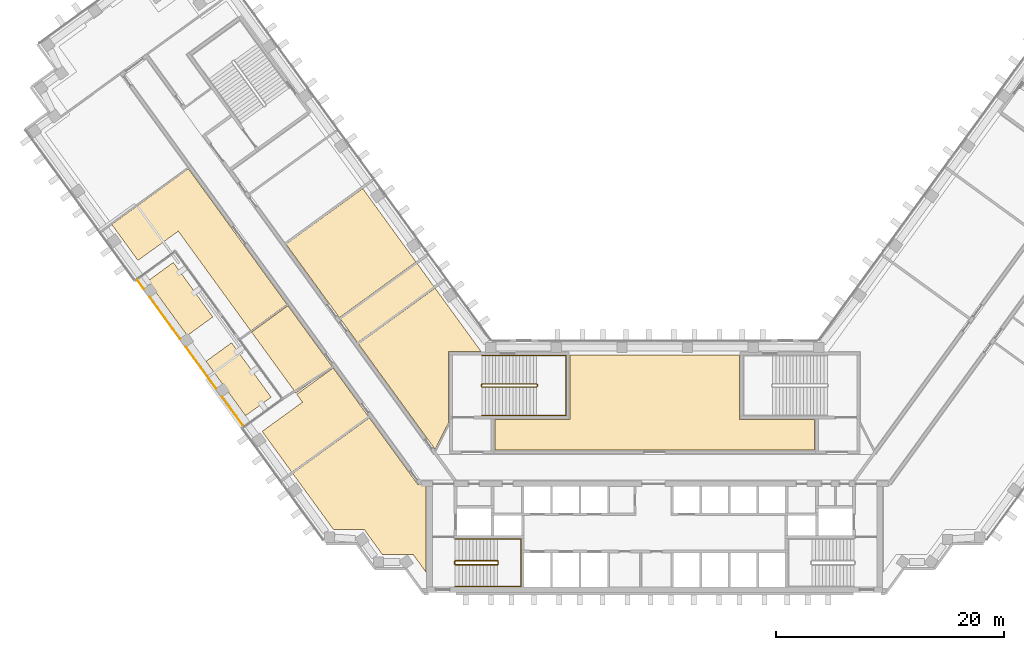
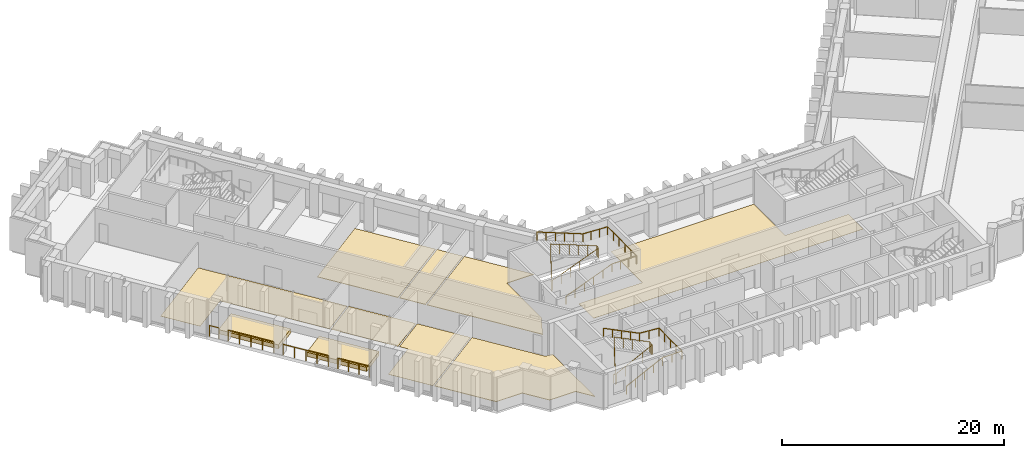
# One storey, part 14 of 16: 10 coverings, 8 railings.
"""IFC4 building model written with IfcOpenShell, lengths in metres."""

from ifc_helpers import new_model, si_unit, direction, frame, origin, origin_2d, place, context, subcontext, project, spatial, polyline, circle, outline, extrude, material, layer, layer_set, type_object, element, save


model = new_model("IFC4")

# Units and contexts
model_context = context("Model", 3, precision=1e-05, world=origin(), true_north=direction((0.0, 1.0)))
body_context = subcontext(model_context, "Body", "Model", "MODEL_VIEW")
ifc_project = project(units=[si_unit("LENGTHUNIT", "METRE"), si_unit("AREAUNIT", "SQUARE_METRE"), si_unit("VOLUMEUNIT", "CUBIC_METRE"), si_unit("PLANEANGLEUNIT", "RADIAN"), si_unit("MASSUNIT", "GRAM", prefix="KILO")], contexts=[model_context])

# Site, building, storey
site_placement = place(None, origin())
site = spatial("IfcSite", under=ifc_project, at=site_placement, CompositionType="ELEMENT")
building_placement = place(site_placement, origin())
building = spatial("IfcBuilding", under=site, at=building_placement, Name="Quipu Civic Tower", CompositionType="ELEMENT")
storey_placement = place(building_placement, frame((0.0, 0.0, 51.0)))
storey = spatial("IfcBuildingStorey", under=building, at=storey_placement, Name="L11", CompositionType="ELEMENT", Elevation=51.0)

# Coverings
ifc_material_1 = material(Name="Carpet tile on raised access floor")
ifc_layer_1 = layer(ifc_material_1, 0.02001953125)
ifc_layer_set_1 = layer_set([ifc_layer_1], Name="Carpet tile on raised access floor")
covering_type_1 = type_object("IfcCoveringType", Name="Carpet tile floor finish 20", PredefinedType="FLOORING", material=ifc_layer_set_1)
covering_1_placement = place(storey_placement, origin())
element("IfcCovering", 1, at=covering_1_placement, inside=storey, type_object=covering_type_1, Name="Carpet tile floor finish 20", PredefinedType="FLOORING", context=body_context, shape_type="SweptSolid", body=[
    extrude(outline(polyline([(-47.62890625, 21.304931640625), (-40.905029296875, 26.18798828125), (-32.260009765625, 14.287109375), (-35.446044921875, 11.972900390625), (-41.797119140625, 20.712890625), (-45.333984375, 18.14501953125), (-47.62890625, 21.304931640625)])), origin(), (0.0, 0.0, 1.0), 0.02001953125),
])
covering_2_placement = place(storey_placement, origin())
element("IfcCovering", 2, at=covering_2_placement, inside=storey, type_object=covering_type_1, Name="Carpet tile floor finish 20", PredefinedType="FLOORING", context=body_context, shape_type="SweptSolid", body=[
    extrude(outline(polyline([(-35.363037109375, 11.860107421875), (-32.177001953125, 14.174072265625), (-28.2919921875, 8.826904296875), (-31.47900390625, 6.511962890625), (-35.363037109375, 11.860107421875)])), origin(), (0.0, 0.0, 1.0), 0.02001953125),
])
covering_3_placement = place(storey_placement, origin())
element("IfcCovering", 3, at=covering_3_placement, inside=storey, type_object=covering_type_1, Name="Carpet tile floor finish 20", PredefinedType="FLOORING", context=body_context, shape_type="SweptSolid", body=[
    extrude(outline(polyline([(-34.43603515625, 3.14599609375), (-30.90087890625, 5.712890625), (-31.39599609375, 6.39794921875), (-28.208984375, 8.714111328125), (-25.117919921875, 4.4580078125), (-31.841064453125, -0.426025390625), (-34.43603515625, 3.14599609375)])), origin(), (0.0, 0.0, 1.0), 0.02001953125),
])
covering_4_placement = place(storey_placement, origin())
element("IfcCovering", 4, at=covering_4_placement, inside=storey, type_object=covering_type_1, Name="Carpet tile floor finish 20", PredefinedType="FLOORING", context=body_context, shape_type="SweptSolid", body=[
    extrude(outline(polyline([(-14.030029296875, 1.52001953125), (-14.030029296875, 4.179931640625), (-7.429931640625, 4.180908203125), (-7.429931640625, 9.830078125), (7.429931640625, 9.830078125), (7.430908203125, 4.179931640625), (14.030029296875, 4.179931640625), (14.030029296875, 1.52001953125), (-14.030029296875, 1.52001953125)])), origin(), (0.0, 0.0, 1.0), 0.02001953125),
])
ifc_material_2 = material(Name="Planting soil on drainage board")
ifc_layer_2 = layer(ifc_material_2, 0.449951171875)
ifc_layer_set_2 = layer_set([ifc_layer_2], Name="Planting soil on drainage board")
covering_type_2 = type_object("IfcCoveringType", Name="Planted terrace build-up", PredefinedType="FLOORING", material=ifc_layer_set_2)
covering_5_placement = place(storey_placement, origin())
element("IfcCovering", 5, at=covering_5_placement, inside=storey, type_object=covering_type_2, Name="Planted terrace L11 bed 1", PredefinedType="FLOORING", context=body_context, shape_type="SweptSolid", body=[
    extrude(outline(polyline([(-44.474853515625, 16.33349609375), (-42.232666015625, 17.96240234375), (-38.764892578125, 13.189453125), (-41.007080078125, 11.560302734375), (-44.474853515625, 16.33349609375)])), origin(), (0.0, 0.0, 1.0), 0.449951171875),
])
covering_6_placement = place(storey_placement, origin())
element("IfcCovering", 6, at=covering_6_placement, inside=storey, type_object=covering_type_2, Name="Planted terrace L11 bed 2", PredefinedType="FLOORING", context=body_context, shape_type="SweptSolid", body=[
    extrude(outline(polyline([(-39.361083984375, 9.295166015625), (-37.119140625, 10.92431640625), (-33.65087890625, 6.15087890625), (-35.893310546875, 4.521728515625), (-39.361083984375, 9.295166015625)])), origin(), (0.0, 0.0, 1.0), 0.449951171875),
])
ifc_material_3 = material(Name="Sealed cement screed")
ifc_layer_3 = layer(ifc_material_3, 0.050048828125)
ifc_layer_set_3 = layer_set([ifc_layer_3], Name="Sealed cement screed")
covering_type_3 = type_object("IfcCoveringType", Name="Sealed screed floor finish 50", PredefinedType="FLOORING", material=ifc_layer_set_3)
covering_7_placement = place(storey_placement, origin())
element("IfcCovering", 7, at=covering_7_placement, inside=storey, type_object=covering_type_3, Name="Sealed screed floor finish 50", PredefinedType="FLOORING", context=body_context, shape_type="SweptSolid", body=[
    extrude(outline(polyline([(-27.577880859375, 13.01708984375), (-20.85498046875, 17.90087890625), (-19.35107421875, 15.8291015625), (-26.073974609375, 10.946044921875), (-27.577880859375, 13.01708984375)])), origin(), (0.0, 0.0, 1.0), 0.050048828125),
])
covering_8_placement = place(storey_placement, origin())
element("IfcCovering", 8, at=covering_8_placement, inside=storey, type_object=covering_type_3, Name="Sealed screed floor finish 50", PredefinedType="FLOORING", context=body_context, shape_type="SweptSolid", body=[
    extrude(outline(polyline([(-25.990966796875, 10.8330078125), (-19.26806640625, 15.716064453125), (-15.238037109375, 10.169921875), (-18.070068359375, 10.1689453125), (-18.070068359375, 3.94189453125), (-19.27197265625, 1.583984375), (-25.990966796875, 10.8330078125)])), origin(), (0.0, 0.0, 1.0), 0.050048828125),
])
covering_9_placement = place(storey_placement, origin())
element("IfcCovering", 9, at=covering_9_placement, inside=storey, type_object=covering_type_3, Name="Sealed screed floor finish 50", PredefinedType="FLOORING", context=body_context, shape_type="SweptSolid", body=[
    extrude(outline(polyline([(-31.758056640625, -0.5390625), (-25.034912109375, 4.344970703125), (-20.77490234375, -1.51904296875), (-20.070068359375, -1.52001953125), (-20.070068359375, -9.195068359375), (-21.196044921875, -7.64599609375), (-21.6630859375, -7.64599609375), (-21.666015625, -7.64404296875), (-21.669921875, -7.64111328125), (-21.675048828125, -7.639892578125), (-21.679931640625, -7.637939453125), (-21.68408203125, -7.636962890625), (-21.68896484375, -7.636962890625), (-21.694091796875, -7.635986328125), (-21.698974609375, -7.636962890625), (-21.7041015625, -7.637939453125), (-21.708984375, -7.638916015625), (-21.712890625, -7.64111328125), (-21.718017578125, -7.64306640625), (-21.721923828125, -7.64599609375), (-21.721923828125, -7.64599609375), (-23.89501953125, -7.64599609375), (-25.48193359375, -5.4619140625), (-28.181884765625, -5.4609375), (-31.758056640625, -0.5390625)])), origin(), (0.0, 0.0, 1.0), 0.050048828125),
])
covering_10_placement = place(storey_placement, origin())
element("IfcCovering", 10, at=covering_10_placement, inside=storey, type_object=covering_type_3, Name="Sealed screed floor finish 50", PredefinedType="FLOORING", context=body_context, shape_type="SweptSolid", body=[
    extrude(outline(polyline([(-32.339111328125, 19.570068359375), (-25.615966796875, 24.4541015625), (-20.93798828125, 18.013916015625), (-27.660888671875, 13.1298828125), (-32.339111328125, 19.570068359375)])), origin(), (0.0, 0.0, 1.0), 0.050048828125),
])

# Railings
ifc_material_4 = material(Name="Stainless steel", Category="steel")
railing_type_1 = type_object("IfcRailingType", Name="Stair guard 1100", PredefinedType="GUARDRAIL", material=ifc_material_4)
railing_1_placement = place(storey_placement, frame((-17.5, -8.550048828125, 0.15380859375)))
element("IfcRailing", 11, at=railing_1_placement, inside=storey, type_object=railing_type_1, Name="Stair 1 guard", PredefinedType="GUARDRAIL", context=body_context, shape_type="SweptSolid", body=[
    extrude(circle(Radius=0.02392578125, at=origin_2d()), frame((0.0, 0.0, 1.076171875), z_axis=(0.895751851347, 0.0, 0.444554407028), x_axis=(0.0, 1.0, 0.0)), (0.0, 0.0, 1.0), 4.15283203125),
    extrude(circle(Radius=0.02392578125, at=origin_2d()), frame((3.719970703125, 0.0, 2.92236328125), z_axis=(0.707106781187, 0.707106781187, 0.0), x_axis=(-0.707106781187, 0.707106781187, 0.0)), (0.0, 0.0, 1.0), 0.07080078125),
    extrude(circle(Radius=0.02392578125, at=origin_2d()), frame((3.77001953125, 0.050048828125, 2.92236328125), z_axis=(0.0, 1.0, 0.0), x_axis=(-1.0, 0.0, 0.0)), (0.0, 0.0, 1.0), 0.25),
    extrude(circle(Radius=0.02392578125, at=origin_2d()), frame((3.77001953125, 0.300048828125, 2.92236328125), z_axis=(-0.295599637079, 0.295599637079, 0.908428152975), x_axis=(-0.707106781187, -0.707106781187, 0.0)), (0.0, 0.0, 1.0), 0.16943359375),
    extrude(circle(Radius=0.02392578125, at=origin_2d()), frame((3.719970703125, 0.35009765625, 3.076171875), z_axis=(-0.895751851347, 0.0, 0.444554407028), x_axis=(0.0, -1.0, 0.0)), (0.0, 0.0, 1.0), 4.15283203125),
    extrude(circle(Radius=0.02392578125, at=origin_2d()), frame((0.0, 0.35009765625, 4.92236328125), z_axis=(-0.012476181752, -0.074796231092, -0.997120789425), x_axis=(0.986372223864, -0.164529134168, 0.0)), (0.0, 0.0, 1.0), 4.011474609375),
    extrude(circle(Radius=0.02392578125, at=origin_2d()), frame((-0.050048828125, 0.050048828125, 0.92236328125), z_axis=(0.0, 1.0, 0.0), x_axis=(-1.0, 0.0, 0.0)), (0.0, 0.0, 1.0), 0.25),
    extrude(circle(Radius=0.02099609375, at=origin_2d()), origin(), (0.0, 0.0, 1.0), 1.052001953125),
    extrude(circle(Radius=0.02099609375, at=origin_2d()), frame((0.929931640625, 0.0, 0.46142578125)), (0.0, 0.0, 1.0), 1.052001953125),
    extrude(circle(Radius=0.02099609375, at=origin_2d()), frame((1.85986328125, 0.0, 0.923095703125)), (0.0, 0.0, 1.0), 1.052001953125),
    extrude(circle(Radius=0.02099609375, at=origin_2d()), frame((2.7900390625, 0.0, 1.384765625)), (0.0, 0.0, 1.0), 1.052001953125),
    extrude(circle(Radius=0.02099609375, at=origin_2d()), frame((3.719970703125, 0.0, 1.84619140625)), (0.0, 0.0, 1.0), 1.052001953125),
    extrude(circle(Radius=0.02099609375, at=origin_2d()), frame((3.77001953125, 0.050048828125, 1.84619140625)), (0.0, 0.0, 1.0), 1.052001953125),
    extrude(circle(Radius=0.02099609375, at=origin_2d()), frame((3.77001953125, 0.300048828125, 1.84619140625)), (0.0, 0.0, 1.0), 1.052001953125),
    extrude(circle(Radius=0.02099609375, at=origin_2d()), frame((3.719970703125, 0.35009765625, 2.0)), (0.0, 0.0, 1.0), 1.052001953125),
    extrude(circle(Radius=0.02099609375, at=origin_2d()), frame((2.7900390625, 0.35009765625, 2.46142578125)), (0.0, 0.0, 1.0), 1.052001953125),
    extrude(circle(Radius=0.02099609375, at=origin_2d()), frame((1.85986328125, 0.35009765625, 2.923095703125)), (0.0, 0.0, 1.0), 1.052001953125),
    extrude(circle(Radius=0.02099609375, at=origin_2d()), frame((0.929931640625, 0.35009765625, 3.384765625)), (0.0, 0.0, 1.0), 1.052001953125),
    extrude(circle(Radius=0.02099609375, at=origin_2d()), frame((0.0, 0.35009765625, 3.84619140625)), (0.0, 0.0, 1.0), 1.052001953125),
    extrude(circle(Radius=0.02099609375, at=origin_2d()), frame((-0.012451171875, 0.275146484375, 2.84619140625)), (0.0, 0.0, 1.0), 1.052001953125),
    extrude(circle(Radius=0.02099609375, at=origin_2d()), frame((-0.02490234375, 0.2001953125, 1.84619140625)), (0.0, 0.0, 1.0), 1.052001953125),
    extrude(circle(Radius=0.02099609375, at=origin_2d()), frame((-0.03759765625, 0.125, 0.84619140625)), (0.0, 0.0, 1.0), 1.052001953125),
    extrude(circle(Radius=0.02099609375, at=origin_2d()), frame((-0.050048828125, 0.050048828125, -0.15380859375)), (0.0, 0.0, 1.0), 1.052001953125),
    extrude(circle(Radius=0.02099609375, at=origin_2d()), frame((-0.050048828125, 0.300048828125, -0.15380859375)), (0.0, 0.0, 1.0), 1.052001953125),
])
railing_2_placement = place(storey_placement, frame((-15.14990234375, 7.050048828125, 0.11767578125)))
element("IfcRailing", 12, at=railing_2_placement, inside=storey, type_object=railing_type_1, Name="Stair 3 guard", PredefinedType="GUARDRAIL", context=body_context, shape_type="SweptSolid", body=[
    extrude(circle(Radius=0.02392578125, at=origin_2d()), frame((0.0, 0.0, 1.076171875), z_axis=(0.930970042603, 0.0, 0.365095576219), x_axis=(0.0, 1.0, 0.0)), (0.0, 0.0, 1.0), 5.15576171875),
    extrude(circle(Radius=0.02392578125, at=origin_2d()), frame((4.7998046875, 0.0, 2.95849609375), z_axis=(0.707106781187, 0.707106781187, 0.0), x_axis=(-0.707106781187, 0.707106781187, 0.0)), (0.0, 0.0, 1.0), 0.07080078125),
    extrude(circle(Radius=0.02392578125, at=origin_2d()), frame((4.849853515625, 0.050048828125, 2.95849609375), z_axis=(0.0, 1.0, 0.0), x_axis=(-1.0, 0.0, 0.0)), (0.0, 0.0, 1.0), 0.14990234375),
    extrude(circle(Radius=0.02392578125, at=origin_2d()), frame((4.849853515625, 0.199951171875, 2.95849609375), z_axis=(-0.364463019033, 0.364463019033, 0.856932561824), x_axis=(-0.707106781187, -0.707106781187, 0.0)), (0.0, 0.0, 1.0), 0.13720703125),
    extrude(circle(Radius=0.02392578125, at=origin_2d()), frame((4.7998046875, 0.25, 3.076171875), z_axis=(-0.930970042603, 0.0, 0.365095576219), x_axis=(0.0, -1.0, 0.0)), (0.0, 0.0, 1.0), 5.15576171875),
    extrude(circle(Radius=0.02392578125, at=origin_2d()), frame((0.0, 0.25, 4.95849609375), z_axis=(-0.012495627992, -0.049921557685, -0.998674970829), x_axis=(0.970072785993, -0.242814311512, 0.0)), (0.0, 0.0, 1.0), 4.00537109375),
    extrude(circle(Radius=0.02392578125, at=origin_2d()), frame((-0.050048828125, 0.050048828125, 0.95849609375), z_axis=(0.0, 1.0, 0.0), x_axis=(-1.0, 0.0, 0.0)), (0.0, 0.0, 1.0), 0.14990234375),
    extrude(circle(Radius=0.02099609375, at=origin_2d()), origin(), (0.0, 0.0, 1.0), 1.052001953125),
    extrude(circle(Radius=0.02099609375, at=origin_2d()), frame((0.9599609375, 0.0, 0.37646484375)), (0.0, 0.0, 1.0), 1.052001953125),
    extrude(circle(Radius=0.02099609375, at=origin_2d()), frame((1.919921875, 0.0, 0.7529296875)), (0.0, 0.0, 1.0), 1.052001953125),
    extrude(circle(Radius=0.02099609375, at=origin_2d()), frame((2.8798828125, 0.0, 1.12939453125)), (0.0, 0.0, 1.0), 1.052001953125),
    extrude(circle(Radius=0.02099609375, at=origin_2d()), frame((3.83984375, 0.0, 1.505859375)), (0.0, 0.0, 1.0), 1.052001953125),
    extrude(circle(Radius=0.02099609375, at=origin_2d()), frame((4.7998046875, 0.0, 1.88232421875)), (0.0, 0.0, 1.0), 1.052001953125),
    extrude(circle(Radius=0.02099609375, at=origin_2d()), frame((4.849853515625, 0.050048828125, 1.88232421875)), (0.0, 0.0, 1.0), 1.052001953125),
    extrude(circle(Radius=0.02099609375, at=origin_2d()), frame((4.849853515625, 0.199951171875, 1.88232421875)), (0.0, 0.0, 1.0), 1.052001953125),
    extrude(circle(Radius=0.02099609375, at=origin_2d()), frame((4.7998046875, 0.25, 2.0)), (0.0, 0.0, 1.0), 1.052001953125),
    extrude(circle(Radius=0.02099609375, at=origin_2d()), frame((3.83984375, 0.25, 2.37646484375)), (0.0, 0.0, 1.0), 1.052001953125),
    extrude(circle(Radius=0.02099609375, at=origin_2d()), frame((2.8798828125, 0.25, 2.7529296875)), (0.0, 0.0, 1.0), 1.052001953125),
    extrude(circle(Radius=0.02099609375, at=origin_2d()), frame((1.919921875, 0.25, 3.12939453125)), (0.0, 0.0, 1.0), 1.052001953125),
    extrude(circle(Radius=0.02099609375, at=origin_2d()), frame((0.9599609375, 0.25, 3.505859375)), (0.0, 0.0, 1.0), 1.052001953125),
    extrude(circle(Radius=0.02099609375, at=origin_2d()), frame((0.0, 0.25, 3.88232421875)), (0.0, 0.0, 1.0), 1.052001953125),
    extrude(circle(Radius=0.02099609375, at=origin_2d()), frame((-0.012451171875, 0.199951171875, 2.88232421875)), (0.0, 0.0, 1.0), 1.052001953125),
    extrude(circle(Radius=0.02099609375, at=origin_2d()), frame((-0.02490234375, 0.14990234375, 1.88232421875)), (0.0, 0.0, 1.0), 1.052001953125),
    extrude(circle(Radius=0.02099609375, at=origin_2d()), frame((-0.03759765625, 0.10009765625, 0.88232421875)), (0.0, 0.0, 1.0), 1.052001953125),
    extrude(circle(Radius=0.02099609375, at=origin_2d()), frame((-0.050048828125, 0.050048828125, -0.11767578125)), (0.0, 0.0, 1.0), 1.052001953125),
    extrude(circle(Radius=0.02099609375, at=origin_2d()), frame((-0.050048828125, 0.199951171875, -0.11767578125)), (0.0, 0.0, 1.0), 1.052001953125),
])
ifc_material_5 = material(Name="Stainless steel", Category="steel")
railing_type_2 = type_object("IfcRailingType", Name="Stair handrail", PredefinedType="HANDRAIL", material=ifc_material_5)
railing_3_placement = place(storey_placement, frame((-17.5, -10.449951171875, 0.15380859375)))
element("IfcRailing", 13, at=railing_3_placement, inside=storey, type_object=railing_type_2, Name="Stair 1 handrail", PredefinedType="HANDRAIL", context=body_context, shape_type="SweptSolid", body=[
    extrude(circle(Radius=0.02392578125, at=origin_2d()), frame((0.0, 0.0, 0.8759765625), z_axis=(0.895751851347, 0.0, 0.444554407028), x_axis=(0.0, 1.0, 0.0)), (0.0, 0.0, 1.0), 4.15283203125),
    extrude(circle(Radius=0.02392578125, at=origin_2d()), frame((3.719970703125, 0.0, 2.72216796875), z_axis=(1.0, 0.0, 0.0), x_axis=(0.0, 1.0, 0.0)), (0.0, 0.0, 1.0), 2.030029296875),
    extrude(circle(Radius=0.02392578125, at=origin_2d()), frame((5.75, 0.0, 2.72216796875), z_axis=(0.0, 1.0, 0.0), x_axis=(-1.0, 0.0, 0.0)), (0.0, 0.0, 1.0), 4.14990234375),
    extrude(circle(Radius=0.02392578125, at=origin_2d()), frame((5.75, 4.14990234375, 2.72216796875), z_axis=(-0.997142003663, 0.0, 0.075550145798), x_axis=(0.0, -1.0, 0.0)), (0.0, 0.0, 1.0), 2.035888671875),
    extrude(circle(Radius=0.02392578125, at=origin_2d()), frame((3.719970703125, 4.14990234375, 2.8759765625), z_axis=(-0.895751851347, 0.0, 0.444554407028), x_axis=(0.0, -1.0, 0.0)), (0.0, 0.0, 1.0), 4.15283203125),
    extrude(circle(Radius=0.02099609375, at=origin_2d()), origin(), (0.0, 0.0, 1.0), 0.851806640625),
    extrude(circle(Radius=0.02099609375, at=origin_2d()), frame((0.929931640625, 0.0, 0.46142578125)), (0.0, 0.0, 1.0), 0.851806640625),
    extrude(circle(Radius=0.02099609375, at=origin_2d()), frame((1.85986328125, 0.0, 0.923095703125)), (0.0, 0.0, 1.0), 0.851806640625),
    extrude(circle(Radius=0.02099609375, at=origin_2d()), frame((2.7900390625, 0.0, 1.384765625)), (0.0, 0.0, 1.0), 0.851806640625),
    extrude(circle(Radius=0.02099609375, at=origin_2d()), frame((3.719970703125, 0.0, 1.84619140625)), (0.0, 0.0, 1.0), 0.851806640625),
    extrude(circle(Radius=0.02099609375, at=origin_2d()), frame((4.73486328125, 0.0, 1.84619140625)), (0.0, 0.0, 1.0), 0.851806640625),
    extrude(circle(Radius=0.02099609375, at=origin_2d()), frame((5.75, 0.0, 1.84619140625)), (0.0, 0.0, 1.0), 0.851806640625),
    extrude(circle(Radius=0.02099609375, at=origin_2d()), frame((5.75, 1.03759765625, 1.84619140625)), (0.0, 0.0, 1.0), 0.851806640625),
    extrude(circle(Radius=0.02099609375, at=origin_2d()), frame((5.75, 2.074951171875, 1.84619140625)), (0.0, 0.0, 1.0), 0.851806640625),
    extrude(circle(Radius=0.02099609375, at=origin_2d()), frame((5.75, 3.1123046875, 1.84619140625)), (0.0, 0.0, 1.0), 0.851806640625),
    extrude(circle(Radius=0.02099609375, at=origin_2d()), frame((5.75, 4.14990234375, 1.84619140625)), (0.0, 0.0, 1.0), 0.851806640625),
    extrude(circle(Radius=0.02099609375, at=origin_2d()), frame((4.73486328125, 4.14990234375, 1.923095703125)), (0.0, 0.0, 1.0), 0.851806640625),
    extrude(circle(Radius=0.02099609375, at=origin_2d()), frame((3.719970703125, 4.14990234375, 2.0)), (0.0, 0.0, 1.0), 0.851806640625),
    extrude(circle(Radius=0.02099609375, at=origin_2d()), frame((2.7900390625, 4.14990234375, 2.46142578125)), (0.0, 0.0, 1.0), 0.851806640625),
    extrude(circle(Radius=0.02099609375, at=origin_2d()), frame((1.85986328125, 4.14990234375, 2.923095703125)), (0.0, 0.0, 1.0), 0.851806640625),
    extrude(circle(Radius=0.02099609375, at=origin_2d()), frame((0.929931640625, 4.14990234375, 3.384765625)), (0.0, 0.0, 1.0), 0.851806640625),
    extrude(circle(Radius=0.02099609375, at=origin_2d()), frame((0.0, 4.14990234375, 3.84619140625)), (0.0, 0.0, 1.0), 0.851806640625),
])
railing_4_placement = place(storey_placement, frame((-15.14990234375, 4.550048828125, 0.11767578125)))
element("IfcRailing", 14, at=railing_4_placement, inside=storey, type_object=railing_type_2, Name="Stair 3 handrail", PredefinedType="HANDRAIL", context=body_context, shape_type="SweptSolid", body=[
    extrude(circle(Radius=0.02392578125, at=origin_2d()), frame((0.0, 0.0, 0.8759765625), z_axis=(0.930970042603, 0.0, 0.365095576219), x_axis=(0.0, 1.0, 0.0)), (0.0, 0.0, 1.0), 5.15576171875),
    extrude(circle(Radius=0.02392578125, at=origin_2d()), frame((4.7998046875, 0.0, 2.75830078125), z_axis=(1.0, 0.0, 0.0), x_axis=(0.0, 1.0, 0.0)), (0.0, 0.0, 1.0), 2.550048828125),
    extrude(circle(Radius=0.02392578125, at=origin_2d()), frame((7.349853515625, 0.0, 2.75830078125), z_axis=(0.0, 1.0, 0.0), x_axis=(-1.0, 0.0, 0.0)), (0.0, 0.0, 1.0), 5.25),
    extrude(circle(Radius=0.02392578125, at=origin_2d()), frame((7.349853515625, 5.25, 2.75830078125), z_axis=(-0.998936948642, 0.0, 0.04609742549), x_axis=(0.0, -1.0, 0.0)), (0.0, 0.0, 1.0), 2.552734375),
    extrude(circle(Radius=0.02392578125, at=origin_2d()), frame((4.7998046875, 5.25, 2.8759765625), z_axis=(-0.930970042603, 0.0, 0.365095576219), x_axis=(0.0, -1.0, 0.0)), (0.0, 0.0, 1.0), 5.15576171875),
    extrude(circle(Radius=0.02099609375, at=origin_2d()), origin(), (0.0, 0.0, 1.0), 0.851806640625),
    extrude(circle(Radius=0.02099609375, at=origin_2d()), frame((0.9599609375, 0.0, 0.37646484375)), (0.0, 0.0, 1.0), 0.851806640625),
    extrude(circle(Radius=0.02099609375, at=origin_2d()), frame((1.919921875, 0.0, 0.7529296875)), (0.0, 0.0, 1.0), 0.851806640625),
    extrude(circle(Radius=0.02099609375, at=origin_2d()), frame((2.8798828125, 0.0, 1.12939453125)), (0.0, 0.0, 1.0), 0.851806640625),
    extrude(circle(Radius=0.02099609375, at=origin_2d()), frame((3.83984375, 0.0, 1.505859375)), (0.0, 0.0, 1.0), 0.851806640625),
    extrude(circle(Radius=0.02099609375, at=origin_2d()), frame((4.7998046875, 0.0, 1.88232421875)), (0.0, 0.0, 1.0), 0.851806640625),
    extrude(circle(Radius=0.02099609375, at=origin_2d()), frame((5.64990234375, 0.0, 1.88232421875)), (0.0, 0.0, 1.0), 0.851806640625),
    extrude(circle(Radius=0.02099609375, at=origin_2d()), frame((6.499755859375, 0.0, 1.88232421875)), (0.0, 0.0, 1.0), 0.851806640625),
    extrude(circle(Radius=0.02099609375, at=origin_2d()), frame((7.349853515625, 0.0, 1.88232421875)), (0.0, 0.0, 1.0), 0.851806640625),
    extrude(circle(Radius=0.02099609375, at=origin_2d()), frame((7.349853515625, 1.050048828125, 1.88232421875)), (0.0, 0.0, 1.0), 0.851806640625),
    extrude(circle(Radius=0.02099609375, at=origin_2d()), frame((7.349853515625, 2.10009765625, 1.88232421875)), (0.0, 0.0, 1.0), 0.851806640625),
    extrude(circle(Radius=0.02099609375, at=origin_2d()), frame((7.349853515625, 3.14990234375, 1.88232421875)), (0.0, 0.0, 1.0), 0.851806640625),
    extrude(circle(Radius=0.02099609375, at=origin_2d()), frame((7.349853515625, 4.199951171875, 1.88232421875)), (0.0, 0.0, 1.0), 0.851806640625),
    extrude(circle(Radius=0.02099609375, at=origin_2d()), frame((7.349853515625, 5.25, 1.88232421875)), (0.0, 0.0, 1.0), 0.851806640625),
    extrude(circle(Radius=0.02099609375, at=origin_2d()), frame((6.499755859375, 5.25, 1.921630859375)), (0.0, 0.0, 1.0), 0.851806640625),
    extrude(circle(Radius=0.02099609375, at=origin_2d()), frame((5.64990234375, 5.25, 1.960693359375)), (0.0, 0.0, 1.0), 0.851806640625),
    extrude(circle(Radius=0.02099609375, at=origin_2d()), frame((4.7998046875, 5.25, 2.0)), (0.0, 0.0, 1.0), 0.851806640625),
    extrude(circle(Radius=0.02099609375, at=origin_2d()), frame((3.83984375, 5.25, 2.37646484375)), (0.0, 0.0, 1.0), 0.851806640625),
    extrude(circle(Radius=0.02099609375, at=origin_2d()), frame((2.8798828125, 5.25, 2.7529296875)), (0.0, 0.0, 1.0), 0.851806640625),
    extrude(circle(Radius=0.02099609375, at=origin_2d()), frame((1.919921875, 5.25, 3.12939453125)), (0.0, 0.0, 1.0), 0.851806640625),
    extrude(circle(Radius=0.02099609375, at=origin_2d()), frame((0.9599609375, 5.25, 3.505859375)), (0.0, 0.0, 1.0), 0.851806640625),
    extrude(circle(Radius=0.02099609375, at=origin_2d()), frame((0.0, 5.25, 3.88232421875)), (0.0, 0.0, 1.0), 0.851806640625),
])
ifc_material_6 = material(Name="Steel S275", Category="steel")
railing_type_3 = type_object("IfcRailingType", Name="Terrace guard G1", PredefinedType="GUARDRAIL", material=ifc_material_6)
railing_5_placement = place(storey_placement, frame((-45.377685546875, 16.419189453125, 0.0)))
element("IfcRailing", 15, at=railing_5_placement, inside=storey, type_object=railing_type_3, Name="Terrace guard L11.1", PredefinedType="GUARDRAIL", context=body_context, shape_type="SweptSolid", body=[
    extrude(circle(Radius=0.02490234375, at=origin_2d()), frame((0.0, 0.0, 1.1748046875), z_axis=(0.587821974901, -0.808990312565, 0.0), x_axis=(0.808990312565, 0.587821974901, 0.0)), (0.0, 0.0, 1.0), 0.954833984375),
    extrude(circle(Radius=0.02490234375, at=origin_2d()), origin(), (0.0, 0.0, 1.0), 1.14990234375),
    extrude(circle(Radius=0.02490234375, at=origin_2d()), frame((0.561279296875, -0.7724609375, 0.0)), (0.0, 0.0, 1.0), 1.14990234375),
])
for number, where, name in (
    (16, (-44.28759765625, 14.918701171875, 0.0), "Terrace guard L11.2"),
    (17, (-41.113525390625, 10.550048828125, 0.0), "Terrace guard L11.3"),
):
    element("IfcRailing", number, at=place(storey_placement, frame(where)), inside=storey, type_object=railing_type_3, Name=name, PredefinedType="GUARDRAIL", context=body_context, shape_type="SweptSolid", body=[
        extrude(circle(Radius=0.02490234375, at=origin_2d()), frame((0.0, 0.0, 1.1748046875), z_axis=(0.587813580995, -0.80899641161, 0.0), x_axis=(0.80899641161, 0.587813580995, 0.0)), (0.0, 0.0, 1.0), 4.500244140625),
        extrude(circle(Radius=0.02490234375, at=origin_2d()), origin(), (0.0, 0.0, 1.0), 1.14990234375),
        extrude(circle(Radius=0.02490234375, at=origin_2d()), frame((0.661376953125, -0.91015625, 0.0)), (0.0, 0.0, 1.0), 1.14990234375),
        extrude(circle(Radius=0.02490234375, at=origin_2d()), frame((1.32275390625, -1.8203125, 0.0)), (0.0, 0.0, 1.0), 1.14990234375),
        extrude(circle(Radius=0.02490234375, at=origin_2d()), frame((1.98388671875, -2.73046875, 0.0)), (0.0, 0.0, 1.0), 1.14990234375),
        extrude(circle(Radius=0.02490234375, at=origin_2d()), frame((2.645263671875, -3.640625, 0.0)), (0.0, 0.0, 1.0), 1.14990234375),
    ])
railing_6_placement = place(storey_placement, frame((-37.939453125, 6.18115234375, 0.0)))
element("IfcRailing", 18, at=railing_6_placement, inside=storey, type_object=railing_type_3, Name="Terrace guard L11.4", PredefinedType="GUARDRAIL", context=body_context, shape_type="SweptSolid", body=[
    extrude(circle(Radius=0.02490234375, at=origin_2d()), frame((0.0, 0.0, 1.1748046875), z_axis=(0.587834723294, -0.808981049277, 0.0), x_axis=(0.808981049277, 0.587834723294, 0.0)), (0.0, 0.0, 1.0), 3.145263671875),
    extrude(circle(Radius=0.02490234375, at=origin_2d()), origin(), (0.0, 0.0, 1.0), 1.14990234375),
    extrude(circle(Radius=0.02490234375, at=origin_2d()), frame((0.6162109375, -0.84814453125, 0.0)), (0.0, 0.0, 1.0), 1.14990234375),
    extrude(circle(Radius=0.02490234375, at=origin_2d()), frame((1.232666015625, -1.6962890625, 0.0)), (0.0, 0.0, 1.0), 1.14990234375),
    extrude(circle(Radius=0.02490234375, at=origin_2d()), frame((1.848876953125, -2.54443359375, 0.0)), (0.0, 0.0, 1.0), 1.14990234375),
])

save(model, "model.ifc")
